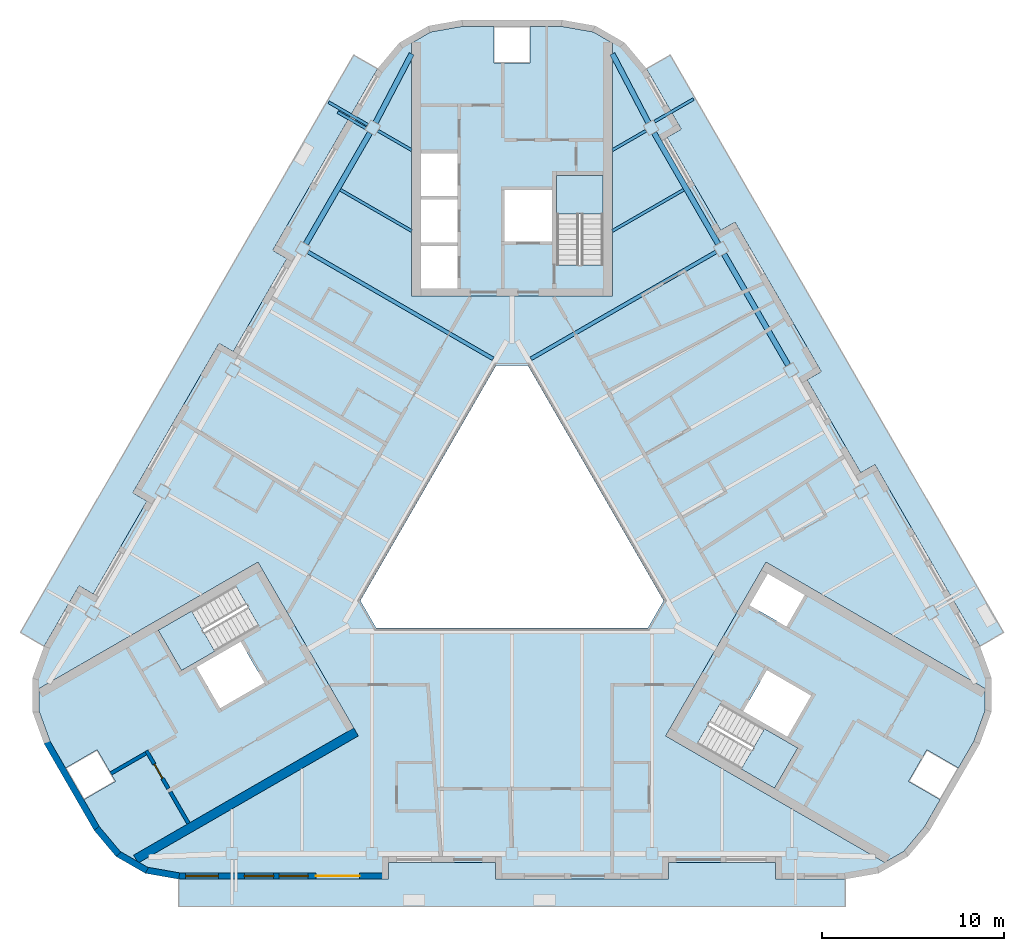
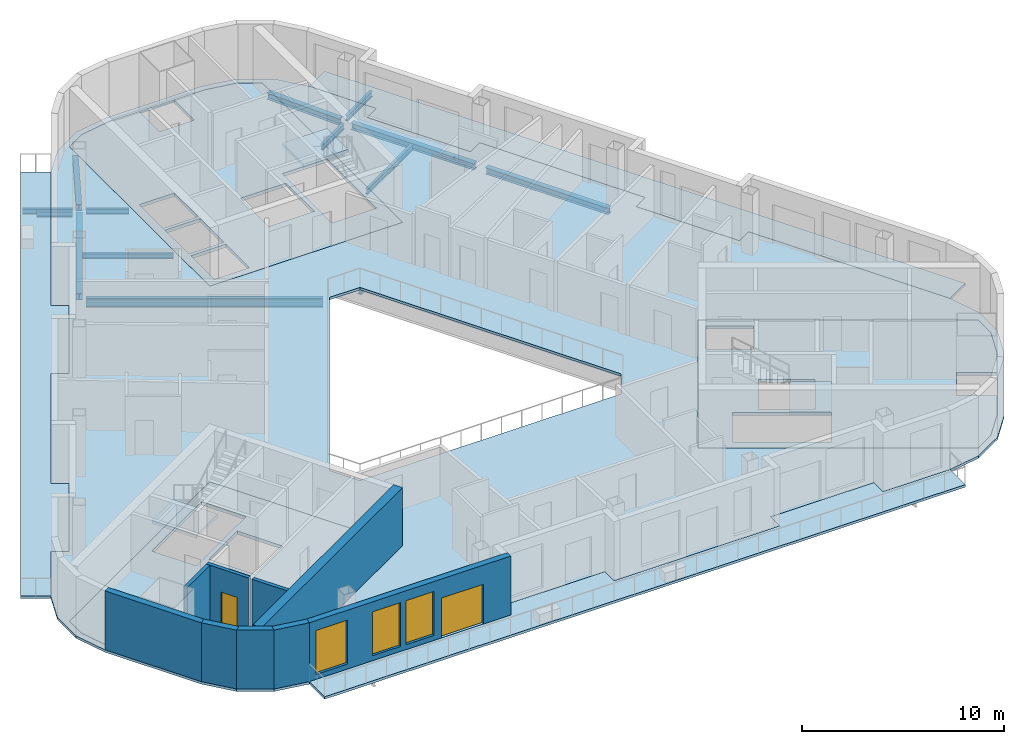
# One storey, part 2 of 14: 14 beams, 10 slabs, 9 walls, 3 windows, 2 doors, 5 openings, 3 elements without a shape of their own.
"""IFC4 building model written with IfcOpenShell, lengths in metres."""

from ifc_helpers import new_model, si_unit, direction, frame, frame_2d, origin, origin_2d, place, context, subcontext, project, spatial, polyline, rectangle, i_section, outline, extrude, material, layer, layer_set, material_profile, profile_set, type_object, element, fill, aggregate, save


model = new_model("IFC4")

# Units and contexts
model_context = context("Model", 3, precision=1e-05, world=origin(), true_north=direction((0.0, 1.0)))
body_context = subcontext(model_context, "Body", "Model", "MODEL_VIEW")
ifc_project = project(units=[si_unit("LENGTHUNIT", "METRE"), si_unit("AREAUNIT", "SQUARE_METRE"), si_unit("VOLUMEUNIT", "CUBIC_METRE"), si_unit("PLANEANGLEUNIT", "RADIAN"), si_unit("MASSUNIT", "GRAM", prefix="KILO")], contexts=[model_context])

# Site, building, storey
site_placement = place(None, origin())
site = spatial("IfcSite", under=ifc_project, at=site_placement, CompositionType="ELEMENT")
building_placement = place(site_placement, origin())
building = spatial("IfcBuilding", under=site, at=building_placement, Name="Apuvela Tower Hotel", CompositionType="ELEMENT")
storey_placement = place(building_placement, frame((0.0, 0.0, 261.5)))
storey = spatial("IfcBuildingStorey", under=building, at=storey_placement, Name="L64", CompositionType="ELEMENT", Elevation=261.5)

# Beams
ifc_material_1 = material(Name="Steel S355", Category="steel")
ifc_material_profile_1 = material_profile(ifc_material_1, i_section(OverallWidth=0.159912109375, OverallDepth=0.330078125, WebThickness=0.007568359375, FlangeThickness=0.011474609375, at=origin_2d()), Name="IPE 330")
ifc_profile_set_1 = profile_set([ifc_material_profile_1], Name="Steel S355")
beam_type_1 = type_object("IfcBeamType", Name="ENV-BALCONY-BEAM-IPE330", PredefinedType="BEAM", material=ifc_profile_set_1)
beam_1_placement = place(storey_placement, frame((7.80615234375, 22.455078125, -0.31494140625), z_axis=(0.866031185235, 0.4999899861, 0.0), x_axis=(-0.4999899861, 0.866031185235, 0.0)))
element("IfcBeam", 1, at=beam_1_placement, inside=storey, type_object=beam_type_1, Name="Balcony cantilever beam NE3 L64", PredefinedType="BEAM", context=body_context, shape_type="SweptSolid", body=[
    extrude(i_section(OverallWidth=0.159912109375, OverallDepth=0.330078125, WebThickness=0.007568359375, FlangeThickness=0.011474609375, at=origin_2d()), origin(), (0.0, 0.0, 1.0), 2.47509765625),
])
beam_2_placement = place(storey_placement, frame((-7.90625, 22.281982421875, -0.31494140625), z_axis=(-0.86604923931, 0.499958713387, 0.0), x_axis=(-0.499958713387, -0.86604923931, 0.0)))
element("IfcBeam", 2, at=beam_2_placement, inside=storey, type_object=beam_type_1, Name="Balcony cantilever beam NW1 L64", PredefinedType="BEAM", context=body_context, shape_type="SweptSolid", body=[
    extrude(i_section(OverallWidth=0.159912109375, OverallDepth=0.330078125, WebThickness=0.007568359375, FlangeThickness=0.011474609375, at=origin_2d()), origin(), (0.0, 0.0, 1.0), 2.474853515625),
])
beam_3_placement = place(storey_placement, frame((-8.01611328125, 22.09130859375, -0.31494140625), z_axis=(-0.866059624469, 0.499940723351, 0.0), x_axis=(-0.499940723351, -0.866059624469, 0.0)))
element("IfcBeam", 3, at=beam_3_placement, inside=storey, type_object=beam_type_1, Name="Balcony cantilever beam NW2 L64", PredefinedType="BEAM", context=body_context, shape_type="SweptSolid", body=[
    extrude(i_section(OverallWidth=0.159912109375, OverallDepth=0.330078125, WebThickness=0.007568359375, FlangeThickness=0.011474609375, at=origin_2d()), origin(), (0.0, 0.0, 1.0), 1.775146484375),
])
ifc_material_profile_2 = material_profile(ifc_material_1, i_section(OverallWidth=0.159912109375, OverallDepth=0.330078125, WebThickness=0.007568359375, FlangeThickness=0.011474609375, at=origin_2d()), Name="IPE 330")
ifc_profile_set_2 = profile_set([ifc_material_profile_2], Name="Steel S355")
beam_type_2 = type_object("IfcBeamType", Name="STR-B floor beam IPE 330", PredefinedType="BEAM", material=ifc_profile_set_2)
beam_4_placement = place(storey_placement, frame((9.412841796875, 18.722412109375, -0.31494140625), z_axis=(-0.866029914075, -0.499992187866, 0.0), x_axis=(0.499992187866, -0.866029914075, 0.0)))
element("IfcBeam", 4, at=beam_4_placement, inside=storey, type_object=beam_type_2, Name="Floor beam B1 NE8", PredefinedType="BEAM", context=body_context, shape_type="SweptSolid", body=[
    extrude(i_section(OverallWidth=0.159912109375, OverallDepth=0.330078125, WebThickness=0.007568359375, FlangeThickness=0.011474609375, at=origin_2d()), origin(), (0.0, 0.0, 1.0), 4.51806640625),
])
for number, where, z_axis, x_axis, name in (
    (5, (7.34326171875, 21.956787109375, -0.31494140625), (-0.866025132214, -0.500000470374, 0.0), (0.500000470374, -0.866025132214, 0.0), "Floor beam B1 NE9"),
    (6, (-7.34326171875, 21.956787109375, -0.31494140625), (0.866025132214, -0.500000470374, 0.0), (0.500000470374, 0.866025132214, 0.0), "Floor beam B1 NW1"),
):
    element("IfcBeam", number, at=place(storey_placement, frame(where, z_axis=z_axis, x_axis=x_axis)), inside=storey, type_object=beam_type_2, Name=name, PredefinedType="BEAM", context=body_context, shape_type="SweptSolid", body=[
        extrude(i_section(OverallWidth=0.159912109375, OverallDepth=0.330078125, WebThickness=0.007568359375, FlangeThickness=0.011474609375, at=origin_2d()), origin(), (0.0, 0.0, 1.0), 2.12841796875),
    ])
beam_5_placement = place(storey_placement, frame((-9.412841796875, 18.722412109375, -0.31494140625), z_axis=(0.866029914075, -0.499992187866, 0.0), x_axis=(0.499992187866, 0.866029914075, 0.0)))
element("IfcBeam", 7, at=beam_5_placement, inside=storey, type_object=beam_type_2, Name="Floor beam B1 NW2", PredefinedType="BEAM", context=body_context, shape_type="SweptSolid", body=[
    extrude(i_section(OverallWidth=0.159912109375, OverallDepth=0.330078125, WebThickness=0.007568359375, FlangeThickness=0.011474609375, at=origin_2d()), origin(), (0.0, 0.0, 1.0), 4.51806640625),
])
ifc_material_profile_3 = material_profile(ifc_material_1, i_section(OverallWidth=0.2099609375, OverallDepth=0.550048828125, WebThickness=0.010986328125, FlangeThickness=0.01708984375, at=origin_2d()), Name="IPE 550")
ifc_profile_set_3 = profile_set([ifc_material_profile_3], Name="Steel S355")
beam_type_3 = type_object("IfcBeamType", Name="STR-B floor beam IPE 550", PredefinedType="BEAM", material=ifc_profile_set_3)
for number, where, z_axis, x_axis, name in (
    (8, (11.17919921875, 15.31298828125, -0.425048828125), (-0.866026678465, -0.499997792181, 0.0), (0.499997792181, -0.866026678465, 0.0), "Floor beam B7 NE7"),
    (9, (-11.17919921875, 15.31298828125, -0.425048828125), (0.866026678465, -0.499997792181, 0.0), (0.499997792181, 0.866026678465, 0.0), "Floor beam B7 NW3"),
):
    element("IfcBeam", number, at=place(storey_placement, frame(where, z_axis=z_axis, x_axis=x_axis)), inside=storey, type_object=beam_type_3, Name=name, PredefinedType="BEAM", context=body_context, shape_type="SweptSolid", body=[
        extrude(i_section(OverallWidth=0.2099609375, OverallDepth=0.550048828125, WebThickness=0.010986328125, FlangeThickness=0.01708984375, at=origin_2d()), origin(), (0.0, 0.0, 1.0), 11.7177734375),
    ])
ifc_material_profile_4 = material_profile(ifc_material_1, i_section(OverallWidth=0.300048828125, OverallDepth=0.389892578125, WebThickness=0.010986328125, FlangeThickness=0.01904296875, at=origin_2d()), Name="HE 400 A")
ifc_profile_set_4 = profile_set([ifc_material_profile_4], Name="Steel S355")
beam_type_4 = type_object("IfcBeamType", Name="STR-SB spandrel beam HE 400 A", PredefinedType="SPANDREL", material=ifc_profile_set_4)
beam_6_placement = place(storey_placement, frame((15.134033203125, 9.11279296875, -0.344970703125), z_axis=(-0.499994319245, 0.866028683545, 0.0), x_axis=(-0.866028683545, -0.499994319245, 0.0)))
element("IfcBeam", 10, at=beam_6_placement, inside=storey, type_object=beam_type_4, Name="Spandrel beam SB4 NE3", PredefinedType="SPANDREL", context=body_context, shape_type="SweptSolid", body=[
    extrude(i_section(OverallWidth=0.300048828125, OverallDepth=0.389892578125, WebThickness=0.010986328125, FlangeThickness=0.01904296875, at=origin_2d()), origin(), (0.0, 0.0, 1.0), 7.02197265625),
])
for number, where, z_axis, x_axis, name in (
    (11, (11.298095703125, 15.7568359375, -0.344970703125), (-0.499983297449, 0.866035046792, 0.0), (-0.866035046792, -0.499983297449, 0.0), "Spandrel beam SB4 NE4"),
    (12, (-7.787353515625, 21.837890625, -0.344970703125), (-0.499983297449, -0.866035046792, 0.0), (0.866035046792, -0.499983297449, 0.0), "Spandrel beam SB4 NW1"),
):
    element("IfcBeam", number, at=place(storey_placement, frame(where, z_axis=z_axis, x_axis=x_axis)), inside=storey, type_object=beam_type_4, Name=name, PredefinedType="SPANDREL", context=body_context, shape_type="SweptSolid", body=[
        extrude(i_section(OverallWidth=0.300048828125, OverallDepth=0.389892578125, WebThickness=0.010986328125, FlangeThickness=0.01904296875, at=origin_2d()), origin(), (0.0, 0.0, 1.0), 7.021728515625),
    ])
for number, where, z_axis, x_axis, name in (
    (13, (7.473876953125, 22.407470703125, -0.344970703125), (-0.463959819654, 0.885856244403, 0.0), (-0.885856244403, -0.463959819654, 0.0), "Spandrel beam SB4 NE5-N"),
    (14, (-7.473876953125, 22.407470703125, -0.344970703125), (0.463959819654, 0.885856244403, 0.0), (-0.885856244403, 0.463959819654, 0.0), "Spandrel beam SB4 NW1-N"),
):
    element("IfcBeam", number, at=place(storey_placement, frame(where, z_axis=z_axis, x_axis=x_axis)), inside=storey, type_object=beam_type_4, Name=name, PredefinedType="SPANDREL", context=body_context, shape_type="SweptSolid", body=[
        extrude(i_section(OverallWidth=0.300048828125, OverallDepth=0.389892578125, WebThickness=0.010986328125, FlangeThickness=0.01904296875, at=origin_2d()), origin(), (0.0, 0.0, 1.0), 4.25439453125),
    ])

# Slabs
ifc_material_2 = material(Name="Concrete C50/60", Category="concrete")
ifc_layer_1 = layer(ifc_material_2, 0.199951171875)
ifc_layer_set_1 = layer_set([ifc_layer_1], Name="COR-FLOOR-200")
slab_type_1 = type_object("IfcSlabType", Name="COR-FLOOR-200", PredefinedType="FLOOR", material=ifc_layer_set_1)
slab_1_placement = place(storey_placement, frame((0.0, 0.0, -0.199951171875)))
element("IfcSlab", 15, at=slab_1_placement, inside=storey, type_object=slab_type_1, Name="Core floor N", PredefinedType="FLOOR", context=body_context, shape_type="SweptSolid", body=[
    extrude(outline(polyline([(5.5, 26.765380859375), (4.452392578125, 27.3701171875), (2.716796875, 27.67626953125), (1.0, 27.67626953125), (1.0, 25.67626953125), (-1.0, 25.67626953125), (-1.0, 27.67626953125), (-2.716796875, 27.67626953125), (-4.452392578125, 27.3701171875), (-5.5, 26.765380859375), (-5.5, 12.89990234375), (5.5, 12.89990234375), (5.5, 26.765380859375)]), holes=[polyline([(-3.0, 13.300048828125), (-5.0, 13.300048828125), (-5.0, 15.639892578125), (-3.0, 15.639892578125), (-3.0, 13.300048828125)]), polyline([(-3.0, 15.840087890625), (-5.0, 15.840087890625), (-5.0, 18.179931640625), (-3.0, 18.179931640625), (-3.0, 15.840087890625)]), polyline([(5.0, 14.60595703125), (2.449951171875, 14.60595703125), (2.449951171875, 19.5), (5.0, 19.5), (5.0, 14.60595703125)]), polyline([(2.199951171875, 18.699951171875), (2.199951171875, 15.89990234375), (-0.39990234375, 15.89990234375), (-0.39990234375, 18.699951171875), (2.199951171875, 18.699951171875)]), polyline([(-3.0, 20.719970703125), (-3.0, 18.3798828125), (-5.0, 18.3798828125), (-5.0, 20.719970703125), (-3.0, 20.719970703125)])]), origin(), (0.0, 0.0, 1.0), 0.199951171875),
])
slab_2_placement = place(storey_placement, frame((0.0, 0.0, -0.199951171875)))
element("IfcSlab", 16, at=slab_2_placement, inside=storey, type_object=slab_type_1, Name="Core floor SW", PredefinedType="FLOOR", context=body_context, shape_type="SweptSolid", body=[
    extrude(outline(polyline([(-25.929443359375, -8.61962890625), (-25.929443359375, -9.8291015625), (-25.32666015625, -11.4853515625), (-24.468505859375, -12.97216796875), (-22.736328125, -11.97216796875), (-21.736328125, -13.7041015625), (-23.468505859375, -14.7041015625), (-23.2412109375, -15.097900390625), (-22.610107421875, -16.19091796875), (-21.47705078125, -17.541015625), (-20.429443359375, -18.145751953125), (-8.421630859375, -11.213134765625), (-13.921630859375, -1.68701171875), (-25.929443359375, -8.61962890625)]), holes=[polyline([(-13.874267578125, -5.18115234375), (-18.112548828125, -7.628173828125), (-19.387451171875, -5.419921875), (-15.149169921875, -2.972900390625), (-13.874267578125, -5.18115234375)]), polyline([(-13.56982421875, -8.29638671875), (-15.99462890625, -9.6962890625), (-17.294677734375, -7.444580078125), (-14.869873046875, -6.044677734375), (-13.56982421875, -8.29638671875)])]), origin(), (0.0, 0.0, 1.0), 0.199951171875),
])
slab_3_placement = place(storey_placement, frame((0.0, 0.0, -0.199951171875)))
element("IfcSlab", 17, at=slab_3_placement, inside=storey, type_object=slab_type_1, Name="Core floor SE", PredefinedType="FLOOR", context=body_context, shape_type="SweptSolid", body=[
    extrude(outline(polyline([(20.429443359375, -18.145751953125), (21.47705078125, -17.541015625), (22.610107421875, -16.19091796875), (23.468505859375, -14.7041015625), (21.736328125, -13.7041015625), (22.736328125, -11.97216796875), (24.468505859375, -12.97216796875), (25.32666015625, -11.4853515625), (25.929443359375, -9.8291015625), (25.929443359375, -8.61962890625), (13.921630859375, -1.68701171875), (8.421630859375, -11.213134765625), (20.429443359375, -18.145751953125)]), holes=[polyline([(14.01806640625, -2.31982421875), (16.044677734375, -3.489990234375), (15.044677734375, -5.221923828125), (13.01806640625, -4.052001953125), (14.01806640625, -2.31982421875)]), polyline([(10.149169921875, -11.633056640625), (11.42431640625, -9.4248046875), (15.66259765625, -11.871826171875), (14.387451171875, -14.080078125), (10.149169921875, -11.633056640625)]), polyline([(12.669921875, -9.855224609375), (13.9697265625, -7.603515625), (16.394775390625, -9.003662109375), (15.0947265625, -11.25537109375), (12.669921875, -9.855224609375)])]), origin(), (0.0, 0.0, 1.0), 0.199951171875),
])

# Stair, slab
stair_type = type_object("IfcStairType", Name="COR-STAIR-22R", PredefinedType="HALF_TURN_STAIR", material=ifc_material_2)
stair_1_placement = place(storey_placement, origin())
stair_1 = element("IfcStair", 18, at=stair_1_placement, inside=storey, type_object=stair_type, Name="L64 Exit stair ST1", PredefinedType="HALF_TURN_STAIR")
ifc_layer_2 = layer(ifc_material_2, 0.199951171875)
ifc_layer_set_2 = layer_set([ifc_layer_2], Name="COR-LANDING-200")
slab_type_2 = type_object("IfcSlabType", Name="COR-LANDING-200", PredefinedType="LANDING", material=ifc_layer_set_2)
slab_4_placement = place(storey_placement, frame((0.0, 0.0, 1.64990234375)))
slab_4 = element("IfcSlab", 19, at=slab_4_placement, type_object=slab_type_2, Name="ST1 landing 1", PredefinedType="LANDING", context=body_context, shape_type="SweptSolid", body=[
    extrude(outline(polyline([(5.0, 17.39404296875), (5.0, 19.5), (2.449951171875, 19.5), (2.449951171875, 17.39404296875), (5.0, 17.39404296875)])), origin(), (0.0, 0.0, 1.0), 0.2001953125),
])
aggregate(stair_1, [slab_4])

stair_2_placement = place(storey_placement, origin())
stair_2 = element("IfcStair", 20, at=stair_2_placement, inside=storey, type_object=stair_type, Name="L64 Exit stair ST2", PredefinedType="HALF_TURN_STAIR")
slab_5_placement = place(storey_placement, frame((0.0, 0.0, 1.64990234375)))
slab_5 = element("IfcSlab", 21, at=slab_5_placement, type_object=slab_type_2, Name="ST2 landing 1", PredefinedType="LANDING", context=body_context, shape_type="SweptSolid", body=[
    extrude(outline(polyline([(-17.563720703125, -4.366943359375), (-19.387451171875, -5.419921875), (-18.112548828125, -7.628173828125), (-16.28857421875, -6.5751953125), (-17.563720703125, -4.366943359375)])), origin(), (0.0, 0.0, 1.0), 0.2001953125),
])
aggregate(stair_2, [slab_5])

stair_3_placement = place(storey_placement, origin())
stair_3 = element("IfcStair", 22, at=stair_3_placement, inside=storey, type_object=stair_type, Name="L64 Exit stair ST3", PredefinedType="HALF_TURN_STAIR")
slab_6_placement = place(storey_placement, frame((0.0, 0.0, 1.64990234375)))
slab_6 = element("IfcSlab", 23, at=slab_6_placement, type_object=slab_type_2, Name="ST3 landing 1", PredefinedType="LANDING", context=body_context, shape_type="SweptSolid", body=[
    extrude(outline(polyline([(12.563720703125, -13.027099609375), (14.387451171875, -14.080078125), (15.66259765625, -11.871826171875), (13.838623046875, -10.81884765625), (12.563720703125, -13.027099609375)])), origin(), (0.0, 0.0, 1.0), 0.2001953125),
])
aggregate(stair_3, [slab_6])

# Slabs
ifc_material_3 = material(Name="Concrete C40/50, fair-faced", Category="concrete")
ifc_layer_3 = layer(ifc_material_3, 0.14990234375)
ifc_layer_set_3 = layer_set([ifc_layer_3], Name="ENV-BALCONY-150")
slab_type_3 = type_object("IfcSlabType", Name="ENV-BALCONY-150", PredefinedType="FLOOR", material=ifc_layer_set_3)
slab_7_placement = place(storey_placement, frame((0.0, 0.0, -0.14990234375)))
element("IfcSlab", 24, at=slab_7_placement, inside=storey, type_object=slab_type_3, Name="Balcony slab S L64", PredefinedType="FLOOR", context=body_context, shape_type="SweptSolid", body=[
    extrude(outline(polyline([(18.27734375, -20.56787109375), (-18.27734375, -20.56787109375), (-18.27734375, -19.057861328125), (-6.77685546875, -19.057861328125), (-6.77685546875, -18.157958984375), (-0.89501953125, -18.157958984375), (-0.89501953125, -19.057861328125), (8.56689453125, -19.057861328125), (8.56689453125, -18.157958984375), (14.448486328125, -18.157958984375), (14.448486328125, -19.057861328125), (18.27734375, -19.057861328125), (18.27734375, -20.56787109375)])), origin(), (0.0, 0.0, 1.0), 0.14990234375),
])
slab_8_placement = place(storey_placement, frame((0.0, 0.0, -0.14990234375)))
element("IfcSlab", 25, at=slab_8_placement, inside=storey, type_object=slab_type_3, Name="Balcony slab NE L64", PredefinedType="FLOOR", context=body_context, shape_type="SweptSolid", body=[
    extrude(outline(polyline([(16.9521484375, 8.75390625), (12.22119140625, 16.947998046875), (11.44189453125, 16.498046875), (8.5009765625, 21.591796875), (9.280517578125, 22.041748046875), (7.365966796875, 25.357666015625), (8.673583984375, 26.112548828125), (26.950927734375, -5.544677734375), (25.643310546875, -6.299560546875), (19.89306640625, 3.66015625), (19.113525390625, 3.210205078125), (16.172607421875, 8.303955078125), (16.9521484375, 8.75390625)])), origin(), (0.0, 0.0, 1.0), 0.14990234375),
])
slab_9_placement = place(storey_placement, frame((0.0, 0.0, -0.14990234375)))
element("IfcSlab", 26, at=slab_9_placement, inside=storey, type_object=slab_type_3, Name="Balcony slab NW L64", PredefinedType="FLOOR", context=body_context, shape_type="SweptSolid", body=[
    extrude(outline(polyline([(-26.950927734375, -5.544677734375), (-8.673583984375, 26.112548828125), (-7.365966796875, 25.357421875), (-13.1162109375, 15.397705078125), (-12.3369140625, 14.94775390625), (-15.277587890625, 9.85400390625), (-16.05712890625, 10.303955078125), (-20.7880859375, 2.10986328125), (-20.008544921875, 1.659912109375), (-22.949462890625, -3.433837890625), (-23.72900390625, -2.98388671875), (-25.643310546875, -6.2998046875), (-26.950927734375, -5.544677734375)])), origin(), (0.0, 0.0, 1.0), 0.14990234375),
])
ifc_material_4 = material(Name="Concrete C35/45", Category="concrete")
ifc_layer_4 = layer(ifc_material_4, 0.14990234375)
ifc_layer_set_4 = layer_set([ifc_layer_4], Name="STR-SLAB 150 floor Concrete C35/45")
slab_type_4 = type_object("IfcSlabType", Name="STR-SLAB 150 floor Concrete C35/45", PredefinedType="FLOOR", material=ifc_layer_set_4)
slab_10_placement = place(storey_placement, frame((0.0, 0.0, -0.14990234375)))
element("IfcSlab", 27, at=slab_10_placement, inside=storey, type_object=slab_type_4, Name="Floor slab S4 L64", PredefinedType="FLOOR", context=body_context, shape_type="SweptSolid", body=[
    extrude(outline(polyline([(-6.180419921875, 26.776611328125), (-4.57421875, 27.7041015625), (-2.747314453125, 28.0263671875), (2.747314453125, 28.0263671875), (4.57421875, 27.7041015625), (6.180419921875, 26.776611328125), (7.372802734375, 25.355712890625), (9.287109375, 22.039794921875), (8.5078125, 21.58984375), (11.443603515625, 16.5048828125), (12.22314453125, 16.954833984375), (16.958984375, 8.752197265625), (16.179443359375, 8.302001953125), (19.115478515625, 3.216796875), (19.89501953125, 3.6669921875), (25.64501953125, -6.292724609375), (26.279541015625, -8.035888671875), (26.279541015625, -9.890869140625), (25.64501953125, -11.6337890625), (22.897705078125, -16.392333984375), (21.70556640625, -17.813232421875), (20.09912109375, -18.74072265625), (18.272216796875, -19.06298828125), (14.443603515625, -19.06298828125), (14.443603515625, -18.162841796875), (8.57177734375, -18.162841796875), (8.57177734375, -19.06298828125), (-0.89990234375, -19.06298828125), (-0.89990234375, -18.162841796875), (-6.771728515625, -18.162841796875), (-6.771728515625, -19.06298828125), (-18.272216796875, -19.06298828125), (-20.09912109375, -18.74072265625), (-21.70556640625, -17.813232421875), (-22.897705078125, -16.392333984375), (-25.64501953125, -11.6337890625), (-26.279541015625, -9.890869140625), (-26.279541015625, -8.035888671875), (-25.64501953125, -6.292724609375), (-23.730712890625, -2.97705078125), (-22.951416015625, -3.427001953125), (-20.015380859375, 1.657958984375), (-20.794921875, 2.10791015625), (-16.05908203125, 10.310791015625), (-15.279541015625, 9.86083984375), (-12.34375, 14.946044921875), (-13.123046875, 15.39599609375), (-7.372802734375, 25.355712890625), (-6.180419921875, 26.776611328125)]), holes=[polyline([(0.865966796875, 9.10009765625), (-0.865966796875, 9.10009765625), (-8.313720703125, -3.800048828125), (-7.44775390625, -5.300048828125), (7.44775390625, -5.300048828125), (8.313720703125, -3.800048828125), (0.865966796875, 9.10009765625)]), polyline([(-5.5, 12.89990234375), (-5.5, 26.765380859375), (-4.452392578125, 27.3701171875), (-2.716796875, 27.67626953125), (2.716796875, 27.67626953125), (4.452392578125, 27.3701171875), (5.5, 26.765380859375), (5.5, 12.89990234375), (-5.5, 12.89990234375)]), polyline([(-8.421630859375, -11.213134765625), (-20.429443359375, -18.145751953125), (-21.47705078125, -17.541015625), (-22.610107421875, -16.19091796875), (-23.2412109375, -15.097900390625), (-25.32666015625, -11.4853515625), (-25.929443359375, -9.8291015625), (-25.929443359375, -8.61962890625), (-13.921630859375, -1.68701171875), (-8.421630859375, -11.213134765625)]), polyline([(13.921630859375, -1.68701171875), (25.929443359375, -8.61962890625), (25.929443359375, -9.8291015625), (25.32666015625, -11.4853515625), (22.610107421875, -16.19091796875), (21.47705078125, -17.541015625), (20.429443359375, -18.145751953125), (8.421630859375, -11.213134765625), (13.921630859375, -1.68701171875)])]), origin(), (0.0, 0.0, 1.0), 0.14990234375),
])

# Wall
ifc_layer_5 = layer(ifc_material_2, 0.5)
ifc_layer_set_5 = layer_set([ifc_layer_5], Name="COR-WALL-CORE-500")
wall_type_1 = type_object("IfcWallType", Name="COR-WALL-CORE-500", PredefinedType="SHEAR", material=ifc_layer_set_5)
wall_1_placement = place(storey_placement, frame((-8.546630859375, -10.99658203125, 0.0), z_axis=(0.0, 0.0, 1.0), x_axis=(-0.86602744543, -0.49999646375, 0.0)))
element("IfcWall", 28, at=wall_1_placement, inside=storey, type_object=wall_type_1, Name="Core wall SW", PredefinedType="SHEAR", context=body_context, shape_type="SweptSolid", body=[
    extrude(rectangle(XDim=13.93408203125, YDim=0.5, at=frame_2d((6.967041015625, 0.0))), origin(), (0.0, 0.0, 1.0), 3.5),
])

# Wall, opening, door
ifc_layer_6 = layer(ifc_material_2, 0.199951171875)
ifc_layer_set_6 = layer_set([ifc_layer_6], Name="COR-WALL-SHAFT-200")
wall_type_2 = type_object("IfcWallType", Name="COR-WALL-SHAFT-200", PredefinedType="SHEAR", material=ifc_layer_set_6)
wall_2_placement = place(storey_placement, frame((-20.030517578125, -12.0263671875, 0.0), z_axis=(0.0, 0.0, 1.0), x_axis=(0.500033551112, -0.866006032174, 0.0)))
wall_2 = element("IfcWall", 29, at=wall_2_placement, inside=storey, type_object=wall_type_2, Name="Shaft wall SW", PredefinedType="SHEAR", context=body_context, shape_type="SweptSolid", body=[
    extrude(rectangle(XDim=2.400146484375, YDim=0.199951171875, at=frame_2d((1.2001953125, 0.0))), origin(), (0.0, 0.0, 1.0), 3.5),
])
opening_1_placement = place(wall_2_placement, frame((0.85009765625, 0.0, 0.0)))
opening_1 = element("IfcOpeningElement", 30, at=opening_1_placement, cuts=wall_2, Name="Opening W-REP", PredefinedType="OPENING", context=body_context, shape_type="SweptSolid", body=[
    extrude(rectangle(XDim=0.89990234375, YDim=2.10009765625, at=frame_2d((0.449951171875, 1.050048828125))), frame((0.0, 0.10986328125, 0.0), z_axis=(0.0, -1.0, 0.0), x_axis=(1.0, 0.0, 0.0)), (0.0, 0.0, 1.0), 0.219970703125),
])
ifc_material_5 = material(Name="Steel fire door, powder coated", Category="steel")
door_type_1 = type_object("IfcDoorType", Name="COR-DR-900", OperationType="NOTDEFINED", PredefinedType="DOOR", material=ifc_material_5)
door_1_placement = place(opening_1_placement, frame((0.89990234375, 0.0, 0.0), z_axis=(0.0, 0.0, 1.0), x_axis=(-1.0, 0.0, 0.0)))
door_1 = element("IfcDoor", 31, at=door_1_placement, inside=storey, type_object=door_type_1, Name="Store door W-REP", OperationType="SINGLE_SWING_LEFT", OverallHeight=2.10009765625, OverallWidth=0.89990234375, PredefinedType="DOOR", context=body_context, shape_type="SweptSolid", body=[
    extrude(rectangle(XDim=0.89990234375, YDim=2.10009765625, at=frame_2d((0.449951171875, 1.050048828125))), frame((0.0, 0.02490234375, 0.0), z_axis=(0.0, -1.0, 0.0), x_axis=(1.0, 0.0, 0.0)), (0.0, 0.0, 1.0), 0.050048828125),
])
fill(opening_1, door_1)

# Walls
wall_3_placement = place(storey_placement, frame((-18.73046875, -14.278076171875, 0.0), z_axis=(0.0, 0.0, 1.0), x_axis=(0.50002537861, -0.866010750942, 0.0)))
element("IfcWall", 32, at=wall_3_placement, inside=storey, type_object=wall_type_2, Name="Shaft wall SW", PredefinedType="SHEAR", context=body_context, shape_type="SweptSolid", body=[
    extrude(rectangle(XDim=2.0, YDim=0.199951171875, at=frame_2d((1.0, 0.0))), origin(), (0.0, 0.0, 1.0), 3.5),
])
wall_4_placement = place(storey_placement, frame((-20.06689453125, -12.1630859375, 0.0), z_axis=(0.0, 0.0, 1.0), x_axis=(-0.866079196458, -0.49990681678, 0.0)))
element("IfcWall", 33, at=wall_4_placement, inside=storey, type_object=wall_type_2, Name="Shaft wall SW", PredefinedType="SHEAR", context=body_context, shape_type="SweptSolid", body=[
    extrude(rectangle(XDim=2.21630859375, YDim=0.199951171875, at=frame_2d((1.108154296875, 0.0))), origin(), (0.0, 0.0, 1.0), 3.5),
])
ifc_material_6 = material(Name="Concrete C40/50, dark pigmented precast panel", Category="concrete")
ifc_layer_7 = layer(ifc_material_6, 0.35009765625)
ifc_layer_set_7 = layer_set([ifc_layer_7], Name="ENV-WALL-350")
wall_type_3 = type_object("IfcWallType", Name="ENV-WALL-350", PredefinedType="SOLIDWALL", material=ifc_layer_set_7)
wall_5_placement = place(storey_placement, frame((-25.49365234375, -11.54638671875, 0.0), z_axis=(0.0, 0.0, 1.0), x_axis=(0.500028854569, -0.86600874395, 0.0)))
element("IfcWall", 34, at=wall_5_placement, inside=storey, type_object=wall_type_3, Name="External wall L64-13", PredefinedType="SOLIDWALL", context=body_context, shape_type="SweptSolid", body=[
    extrude(rectangle(XDim=5.494873046875, YDim=0.35009765625, at=frame_2d((2.74755859375, 0.0))), origin(), (0.0, 0.0, 1.0), 3.550048828125),
])
for number, where, z_axis, x_axis, name in (
    (35, (-22.763671875, -16.27978515625, 0.0), (0.0, 0.0, 1.0), (0.642744363867, -0.76608072859, 0.0), "External wall L64-14"),
    (36, (-21.617919921875, -17.661865234375, 0.0), (0.0, 0.0, 1.0), (0.866080385203, -0.499904757295, 0.0), "External wall L64-15"),
):
    element("IfcWall", number, at=place(storey_placement, frame(where, z_axis=z_axis, x_axis=x_axis)), inside=storey, type_object=wall_type_3, Name=name, PredefinedType="SOLIDWALL", context=body_context, shape_type="SweptSolid", body=[
        extrude(rectangle(XDim=1.854736328125, YDim=0.35009765625, at=frame_2d((0.92724609375, 0.0))), origin(), (0.0, 0.0, 1.0), 3.550048828125),
    ])
wall_6_placement = place(storey_placement, frame((-20.068603515625, -18.568359375, 0.0), z_axis=(0.0, 0.0, 1.0), x_axis=(0.984791508075, -0.173740282098, 0.0)))
element("IfcWall", 37, at=wall_6_placement, inside=storey, type_object=wall_type_3, Name="External wall L64-16", PredefinedType="SOLIDWALL", context=body_context, shape_type="SweptSolid", body=[
    extrude(rectangle(XDim=1.85498046875, YDim=0.35009765625, at=frame_2d((0.927490234375, 0.0))), origin(), (0.0, 0.0, 1.0), 3.550048828125),
])

# Wall, openings, door, windows
wall_7_placement = place(storey_placement, frame((-18.272216796875, -18.887939453125, 0.0), z_axis=(0.0, 0.0, 1.0), x_axis=(1.0, 0.0, 0.0)))
wall_7 = element("IfcWall", 38, at=wall_7_placement, inside=storey, type_object=wall_type_3, Name="External wall L64-17", PredefinedType="SOLIDWALL", context=body_context, shape_type="SweptSolid", body=[
    extrude(rectangle(XDim=11.50048828125, YDim=0.35009765625, at=frame_2d((5.750244140625, 0.0))), origin(), (0.0, 0.0, 1.0), 3.550048828125),
])
opening_2_placement = place(wall_7_placement, frame((0.380126953125, 0.0, 0.300048828125)))
opening_2 = element("IfcOpeningElement", 39, at=opening_2_placement, cuts=wall_7, Name="Opening WN18", PredefinedType="OPENING", context=body_context, shape_type="SweptSolid", body=[
    extrude(rectangle(XDim=1.800048828125, YDim=2.64990234375, at=frame_2d((0.89990234375, 1.324951171875))), frame((0.0, 0.18505859375, 0.0), z_axis=(0.0, -1.0, 0.0), x_axis=(1.0, 0.0, 0.0)), (0.0, 0.0, 1.0), 0.3701171875),
])
opening_3_placement = place(wall_7_placement, frame((7.525146484375, 0.0, 0.0)))
opening_3 = element("IfcOpeningElement", 40, at=opening_3_placement, cuts=wall_7, Name="Opening BD24", PredefinedType="OPENING", context=body_context, shape_type="SweptSolid", body=[
    extrude(rectangle(XDim=2.39990234375, YDim=2.39990234375, at=frame_2d((1.199951171875, 1.199951171875))), frame((0.0, 0.18505859375, 0.0), z_axis=(0.0, -1.0, 0.0), x_axis=(1.0, 0.0, 0.0)), (0.0, 0.0, 1.0), 0.3701171875),
])
opening_4_placement = place(wall_7_placement, frame((3.603759765625, 0.0, 0.300048828125)))
opening_4 = element("IfcOpeningElement", 41, at=opening_4_placement, cuts=wall_7, Name="Opening WN16", PredefinedType="OPENING", context=body_context, shape_type="SweptSolid", body=[
    extrude(rectangle(XDim=1.60009765625, YDim=2.64990234375, at=frame_2d((0.800048828125, 1.324951171875))), frame((0.0, 0.18505859375, 0.0), z_axis=(0.0, -1.0, 0.0), x_axis=(1.0, 0.0, 0.0)), (0.0, 0.0, 1.0), 0.3701171875),
])
opening_5_placement = place(wall_7_placement, frame((5.50390625, 0.0, 0.300048828125)))
opening_5 = element("IfcOpeningElement", 42, at=opening_5_placement, cuts=wall_7, Name="Opening WN16", PredefinedType="OPENING", context=body_context, shape_type="SweptSolid", body=[
    extrude(rectangle(XDim=1.60009765625, YDim=2.64990234375, at=frame_2d((0.800048828125, 1.324951171875))), frame((0.0, 0.18505859375, 0.0), z_axis=(0.0, -1.0, 0.0), x_axis=(1.0, 0.0, 0.0)), (0.0, 0.0, 1.0), 0.3701171875),
])
ifc_material_7 = material(Name="Aluminium 6063-T6, dark bronze anodised frame with dark tinted laminated glass", Category="aluminium")
door_type_2 = type_object("IfcDoorType", Name="ENV-DOOR-BALCONY-2400x2400", OperationType="SLIDING_TO_LEFT", PredefinedType="DOOR", material=ifc_material_7)
door_2_placement = place(opening_3_placement, frame((2.39990234375, 0.0, 0.0), z_axis=(0.0, 0.0, 1.0), x_axis=(-1.0, 0.0, 0.0)))
door_2 = element("IfcDoor", 43, at=door_2_placement, inside=storey, type_object=door_type_2, Name="Balcony door BD24", OperationType="SLIDING_TO_LEFT", OverallHeight=2.39990234375, OverallWidth=2.39990234375, PredefinedType="DOOR", context=body_context, shape_type="SweptSolid", body=[
    extrude(rectangle(XDim=2.39990234375, YDim=2.39990234375, at=frame_2d((1.199951171875, 1.199951171875))), frame((0.0, 0.02490234375, 0.0), z_axis=(0.0, -1.0, 0.0), x_axis=(1.0, 0.0, 0.0)), (0.0, 0.0, 1.0), 0.050048828125),
])
fill(opening_3, door_2)
ifc_material_8 = material(Name="Glass, dark tinted laminated insulated glazing unit", Category="glass")
window_type_1 = type_object("IfcWindowType", Name="ENV-WIN-1600x2650", PartitioningType="SINGLE_PANEL", PredefinedType="WINDOW", material=ifc_material_8)
window_1_placement = place(opening_4_placement, origin())
window_1 = element("IfcWindow", 44, at=window_1_placement, inside=storey, type_object=window_type_1, Name="Window WN16", OverallHeight=2.64990234375, OverallWidth=1.60009765625, PartitioningType="SINGLE_PANEL", PredefinedType="WINDOW", context=body_context, shape_type="SweptSolid", body=[
    extrude(rectangle(XDim=1.60009765625, YDim=2.64990234375, at=frame_2d((0.800048828125, 1.324951171875))), frame((0.0, 0.030029296875, 0.0), z_axis=(0.0, -1.0, 0.0), x_axis=(1.0, 0.0, 0.0)), (0.0, 0.0, 1.0), 0.06005859375),
])
fill(opening_4, window_1)
window_2_placement = place(opening_5_placement, origin())
window_2 = element("IfcWindow", 45, at=window_2_placement, inside=storey, type_object=window_type_1, Name="Window WN16", OverallHeight=2.64990234375, OverallWidth=1.60009765625, PartitioningType="SINGLE_PANEL", PredefinedType="WINDOW", context=body_context, shape_type="SweptSolid", body=[
    extrude(rectangle(XDim=1.60009765625, YDim=2.64990234375, at=frame_2d((0.800048828125, 1.324951171875))), frame((0.0, 0.030029296875, 0.0), z_axis=(0.0, -1.0, 0.0), x_axis=(1.0, 0.0, 0.0)), (0.0, 0.0, 1.0), 0.06005859375),
])
fill(opening_5, window_2)
window_type_2 = type_object("IfcWindowType", Name="ENV-WIN-1800x2650", PartitioningType="SINGLE_PANEL", PredefinedType="WINDOW", material=ifc_material_8)
window_3_placement = place(opening_2_placement, origin())
window_3 = element("IfcWindow", 46, at=window_3_placement, inside=storey, type_object=window_type_2, Name="Window WN18", OverallHeight=2.64990234375, OverallWidth=1.800048828125, PartitioningType="SINGLE_PANEL", PredefinedType="WINDOW", context=body_context, shape_type="SweptSolid", body=[
    extrude(rectangle(XDim=1.800048828125, YDim=2.64990234375, at=frame_2d((0.89990234375, 1.324951171875))), frame((0.0, 0.030029296875, 0.0), z_axis=(0.0, -1.0, 0.0), x_axis=(1.0, 0.0, 0.0)), (0.0, 0.0, 1.0), 0.06005859375),
])
fill(opening_2, window_3)

save(model, "model.ifc")
